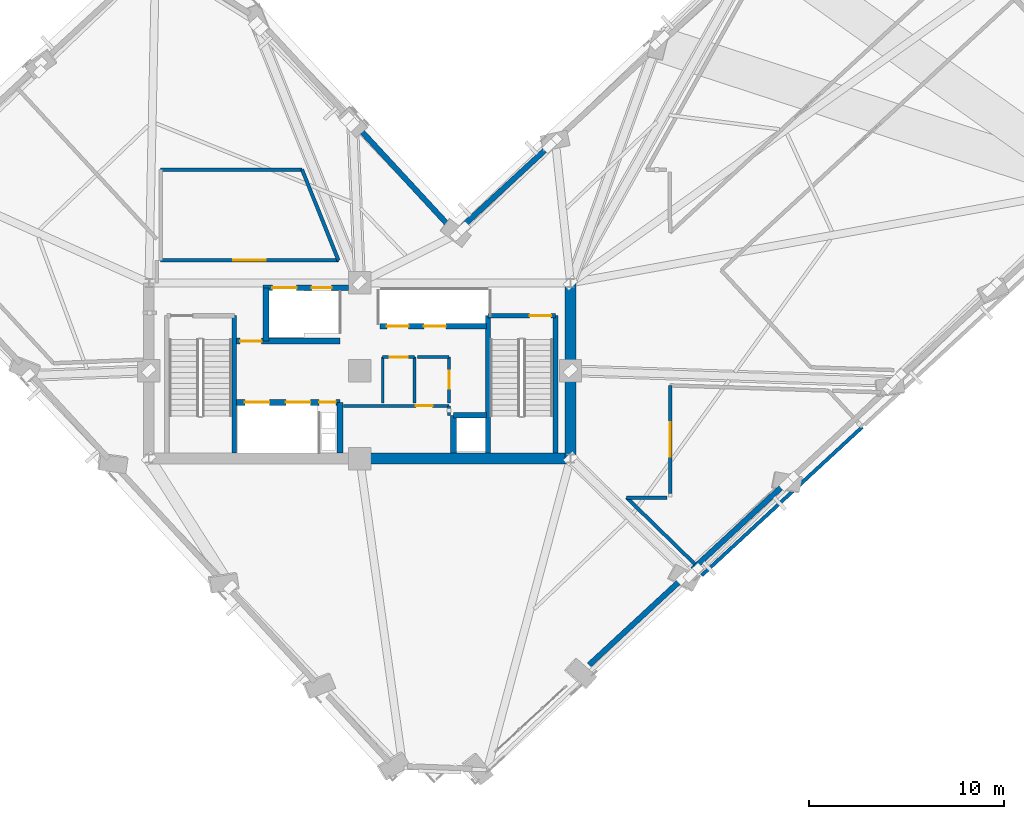
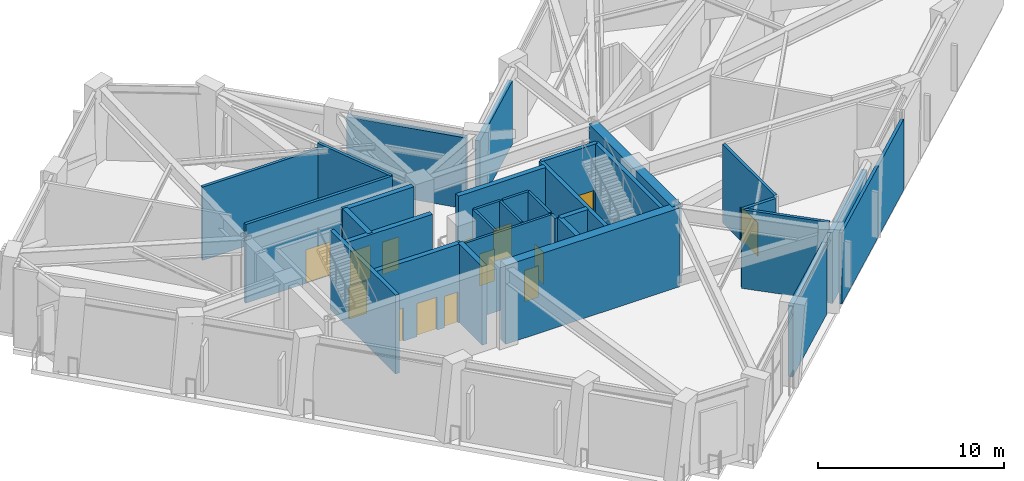
# One storey, part 9 of 15: 32 walls, 14 doors, 14 openings.
"""IFC4 building model written with IfcOpenShell, lengths in metres."""

from ifc_helpers import new_model, si_unit, direction, frame, frame_2d, origin, place, context, subcontext, project, spatial, rectangle, extrude, material, layer, layer_set, type_object, element, fill, save


model = new_model("IFC4")

# Units and contexts
model_context = context("Model", 3, precision=1e-05, world=origin(), true_north=direction((0.0, 1.0)))
body_context = subcontext(model_context, "Body", "Model", "MODEL_VIEW")
ifc_project = project(units=[si_unit("LENGTHUNIT", "METRE"), si_unit("AREAUNIT", "SQUARE_METRE"), si_unit("VOLUMEUNIT", "CUBIC_METRE"), si_unit("PLANEANGLEUNIT", "RADIAN"), si_unit("MASSUNIT", "GRAM", prefix="KILO")], contexts=[model_context])

# Site, building, storey
site_placement = place(None, origin())
site = spatial("IfcSite", under=ifc_project, at=site_placement, CompositionType="ELEMENT")
building_placement = place(site_placement, origin())
building = spatial("IfcBuilding", under=site, at=building_placement, Name="Gaonmaruhae Medical Tower", CompositionType="ELEMENT")
storey_placement = place(building_placement, frame((0.0, 0.0, 205.800048828125)))
storey = spatial("IfcBuildingStorey", under=building, at=storey_placement, Name="L49", CompositionType="ELEMENT", Elevation=205.800048828125)

# Walls
ifc_material_1 = material(Name="Concrete C50/60", Category="concrete")
ifc_layer_1 = layer(ifc_material_1, 0.550048828125)
ifc_layer_set_1 = layer_set([ifc_layer_1], Name="Concrete C50/60")
wall_type_1 = type_object("IfcWallType", Name="CW-550 Mid-High Core Shear Wall", PredefinedType="SHEAR", material=ifc_layer_set_1)
wall_1_placement = place(storey_placement, frame((24.800048828125, 7.800048828125, 0.0), z_axis=(0.0, 0.0, 1.0), x_axis=(1.0, 0.0, 0.0)))
element("IfcWall", 1, at=wall_1_placement, inside=storey, type_object=wall_type_1, Name="L49 Core Shear Wall CSW-S2", PredefinedType="SHEAR", context=body_context, shape_type="SweptSolid", body=[
    extrude(rectangle(XDim=10.800048828125, YDim=0.550048828125, at=frame_2d((5.39990234375, 0.0))), origin(), (0.0, 0.0, 1.0), 5.179931640625),
])
wall_2_placement = place(storey_placement, frame((35.60009765625, 7.800048828125, 0.0), z_axis=(0.0, 0.0, 1.0), x_axis=(0.0, 1.0, 0.0)))
element("IfcWall", 2, at=wall_2_placement, inside=storey, type_object=wall_type_1, Name="L49 Core Shear Wall CSW-E1", PredefinedType="SHEAR", context=body_context, shape_type="SweptSolid", body=[
    extrude(rectangle(XDim=9.0, YDim=0.550048828125, at=frame_2d((4.5, 0.0))), origin(), (0.0, 0.0, 1.0), 5.179931640625),
])
ifc_material_2 = material(Name="Precast concrete C45/55", Category="concrete")
ifc_layer_2 = layer(ifc_material_2, 0.280029296875)
ifc_layer_set_2 = layer_set([ifc_layer_2], Name="Precast concrete C45/55")
wall_type_2 = type_object("IfcWallType", Name="EW-280 Upper Precast Masonry-Frame Facade Wall", PredefinedType="SOLIDWALL", material=ifc_layer_set_2)
wall_3_placement = place(storey_placement, frame((41.13671875, 1.466796875, 0.0), z_axis=(0.0, 0.0, 1.0), x_axis=(-0.734325837506, -0.678797145229, 0.0)))
element("IfcWall", 3, at=wall_3_placement, inside=storey, type_object=wall_type_2, Name="L49 Precast Masonry-Frame Wall S02-S03", PredefinedType="SOLIDWALL", context=body_context, shape_type="SweptSolid", body=[
    extrude(rectangle(XDim=6.234375, YDim=0.280029296875, at=frame_2d((3.1171875, 0.0))), origin(), (0.0, 0.0, 1.0), 4.6650390625),
])
wall_4_placement = place(storey_placement, frame((46.418701171875, 6.349609375, 0.0), z_axis=(0.0, 0.0, 1.0), x_axis=(-0.734318253619, -0.678805349421, 0.0)))
element("IfcWall", 4, at=wall_4_placement, inside=storey, type_object=wall_type_2, Name="L49 Precast Masonry-Frame Wall S03-S04", PredefinedType="SOLIDWALL", context=body_context, shape_type="SweptSolid", body=[
    extrude(rectangle(XDim=6.21435546875, YDim=0.280029296875, at=frame_2d((3.107177734375, 0.0))), origin(), (0.0, 0.0, 1.0), 4.6650390625),
])
wall_5_placement = place(storey_placement, frame((30.077392578125, 19.705078125, 0.0), z_axis=(0.0, 0.0, 1.0), x_axis=(0.734294412508, 0.678831139356, 0.0)))
element("IfcWall", 5, at=wall_5_placement, inside=storey, type_object=wall_type_2, Name="L49 Precast Masonry-Frame Wall EN03-KN01", PredefinedType="SOLIDWALL", context=body_context, shape_type="SweptSolid", body=[
    extrude(rectangle(XDim=5.960205078125, YDim=0.280029296875, at=frame_2d((2.97998046875, 0.0))), origin(), (0.0, 0.0, 1.0), 4.1650390625),
])
wall_6_placement = place(storey_placement, frame((29.406494140625, 19.68701171875, 0.0), z_axis=(0.0, 0.0, 1.0), x_axis=(-0.678786966978, 0.734335245961, 0.0)))
element("IfcWall", 6, at=wall_6_placement, inside=storey, type_object=wall_type_2, Name="L49 Precast Masonry-Frame Wall KN01-NE01", PredefinedType="SOLIDWALL", context=body_context, shape_type="SweptSolid", body=[
    extrude(rectangle(XDim=6.759765625, YDim=0.280029296875, at=frame_2d((3.3798828125, 0.0))), origin(), (0.0, 0.0, 1.0), 4.6650390625),
])

# Wall, opening, door
ifc_material_3 = material(Name="Gypsum board partition", Category="gypsum")
ifc_layer_3 = layer(ifc_material_3, 0.14990234375)
ifc_layer_set_3 = layer_set([ifc_layer_3], Name="Gypsum board partition")
wall_type_3 = type_object("IfcWallType", Name="PW-150 Rated Clinical Corridor Partition", PredefinedType="PARTITIONING", material=ifc_layer_set_3)
wall_7_placement = place(storey_placement, frame((23.97998046875, 10.5, 0.0), z_axis=(0.0, 0.0, 1.0), x_axis=(1.0, 0.0, 0.0)))
wall_7 = element("IfcWall", 7, at=wall_7_placement, inside=storey, type_object=wall_type_3, Name="L49 Interior Partition L49-RCL1-1", PredefinedType="PARTITIONING", context=body_context, shape_type="SweptSolid", body=[
    extrude(rectangle(XDim=5.39990234375, YDim=0.14990234375, at=frame_2d((2.699951171875, 0.0))), origin(), (0.0, 0.0, 1.0), 5.179931640625),
])
opening_1_placement = place(wall_7_placement, frame((3.702880859375, 0.0, 0.0)))
opening_1 = element("IfcOpeningElement", 8, at=opening_1_placement, cuts=wall_7, Name="Opening AD-01", PredefinedType="OPENING", context=body_context, shape_type="SweptSolid", body=[
    extrude(rectangle(XDim=0.860107421875, YDim=2.06005859375, at=frame_2d((0.43017578125, 1.030029296875))), frame((0.0, 0.0849609375, 0.0), z_axis=(0.0, -1.0, 0.0), x_axis=(1.0, 0.0, 0.0)), (0.0, 0.0, 1.0), 0.169921875),
])
ifc_material_4 = material(Name="Powder-coated steel access door", Category="steel")
door_type_1 = type_object("IfcDoorType", Name="AD-01 Riser & Closet Access Fire Door 860x2060", OperationType="NOTDEFINED", PredefinedType="DOOR", material=ifc_material_4)
door_1_placement = place(opening_1_placement, origin())
door_1 = element("IfcDoor", 9, at=door_1_placement, inside=storey, type_object=door_type_1, Name="L49 Biomedical Infusion Preparation Room Sliding Door", OperationType="SLIDING_TO_LEFT", OverallHeight=2.06005859375, OverallWidth=0.860107421875, PredefinedType="DOOR", context=body_context, shape_type="SweptSolid", body=[
    extrude(rectangle(XDim=0.860107421875, YDim=2.06005859375, at=frame_2d((0.43017578125, 1.030029296875))), frame((0.0, 0.02490234375, 0.0), z_axis=(0.0, -1.0, 0.0), x_axis=(1.0, 0.0, 0.0)), (0.0, 0.0, 1.0), 0.050048828125),
])
fill(opening_1, door_1)

# Walls
wall_8_placement = place(storey_placement, frame((29.3798828125, 10.5, 0.0), z_axis=(0.0, 0.0, 1.0), x_axis=(0.0, -1.0, 0.0)))
element("IfcWall", 10, at=wall_8_placement, inside=storey, type_object=wall_type_3, Name="L49 Interior Partition L49-RCL1-2", PredefinedType="PARTITIONING", context=body_context, shape_type="SweptSolid", body=[
    extrude(rectangle(XDim=0.47998046875, YDim=0.14990234375, at=frame_2d((0.239990234375, 0.0))), origin(), (0.0, 0.0, 1.0), 5.179931640625),
])
wall_9_placement = place(storey_placement, frame((25.97998046875, 10.659912109375, 0.0), z_axis=(0.0, 0.0, 1.0), x_axis=(0.0, 1.0, 0.0)))
element("IfcWall", 11, at=wall_9_placement, inside=storey, type_object=wall_type_3, Name="L49 Interior Partition L49-CS1-3", PredefinedType="PARTITIONING", context=body_context, shape_type="SweptSolid", body=[
    extrude(rectangle(XDim=2.340087890625, YDim=0.14990234375, at=frame_2d((1.169921875, 0.0))), origin(), (0.0, 0.0, 1.0), 5.179931640625),
])

# Wall, opening, door
wall_10_placement = place(storey_placement, frame((25.97998046875, 13.0, 0.0), z_axis=(0.0, 0.0, 1.0), x_axis=(1.0, 0.0, 0.0)))
wall_10 = element("IfcWall", 12, at=wall_10_placement, inside=storey, type_object=wall_type_3, Name="L49 Interior Partition L49-CS1-4", PredefinedType="PARTITIONING", context=body_context, shape_type="SweptSolid", body=[
    extrude(rectangle(XDim=1.6201171875, YDim=0.14990234375, at=frame_2d((0.81005859375, 0.0))), origin(), (0.0, 0.0, 1.0), 5.179931640625),
])
opening_2_placement = place(wall_10_placement, frame((0.35009765625, 0.0, 0.0)))
opening_2 = element("IfcOpeningElement", 13, at=opening_2_placement, cuts=wall_10, Name="Opening UD-01", PredefinedType="OPENING", context=body_context, shape_type="SweptSolid", body=[
    extrude(rectangle(XDim=0.919921875, YDim=2.10009765625, at=frame_2d((0.4599609375, 1.050048828125))), frame((0.0, 0.0849609375, 0.0), z_axis=(0.0, -1.0, 0.0), x_axis=(1.0, 0.0, 0.0)), (0.0, 0.0, 1.0), 0.169921875),
])
ifc_material_5 = material(Name="Powder-coated steel utility door", Category="steel")
door_type_2 = type_object("IfcDoorType", Name="UD-01 Toilet, Utility & Housekeeping Door 920x2100", OperationType="NOTDEFINED", PredefinedType="DOOR", material=ifc_material_5)
door_2_placement = place(opening_2_placement, origin())
door_2 = element("IfcDoor", 14, at=door_2_placement, inside=storey, type_object=door_type_2, Name="L49 Accessible Staff Toilet Door", OperationType="SINGLE_SWING_RIGHT", OverallHeight=2.10009765625, OverallWidth=0.919921875, PredefinedType="DOOR", context=body_context, shape_type="SweptSolid", body=[
    extrude(rectangle(XDim=0.919921875, YDim=2.10009765625, at=frame_2d((0.4599609375, 1.050048828125))), frame((0.0, 0.02490234375, 0.0), z_axis=(0.0, -1.0, 0.0), x_axis=(1.0, 0.0, 0.0)), (0.0, 0.0, 1.0), 0.050048828125),
])
fill(opening_2, door_2)

# Walls
wall_11_placement = place(storey_placement, frame((27.60009765625, 13.0, 0.0), z_axis=(0.0, 0.0, 1.0), x_axis=(0.0, -1.0, 0.0)))
element("IfcWall", 15, at=wall_11_placement, inside=storey, type_object=wall_type_3, Name="L49 Interior Partition L49-CS1-5", PredefinedType="PARTITIONING", context=body_context, shape_type="SweptSolid", body=[
    extrude(rectangle(XDim=2.340087890625, YDim=0.14990234375, at=frame_2d((1.169921875, 0.0))), origin(), (0.0, 0.0, 1.0), 5.179931640625),
])
wall_12_placement = place(storey_placement, frame((27.760009765625, 13.0, 0.0), z_axis=(0.0, 0.0, 1.0), x_axis=(1.0, 0.0, 0.0)))
element("IfcWall", 16, at=wall_12_placement, inside=storey, type_object=wall_type_3, Name="L49 Interior Partition L49-CS2-6", PredefinedType="PARTITIONING", context=body_context, shape_type="SweptSolid", body=[
    extrude(rectangle(XDim=1.619873046875, YDim=0.14990234375, at=frame_2d((0.81005859375, 0.0))), origin(), (0.0, 0.0, 1.0), 5.179931640625),
])

# Wall, opening, door
wall_13_placement = place(storey_placement, frame((29.3798828125, 13.0, 0.0), z_axis=(0.0, 0.0, 1.0), x_axis=(0.0, -1.0, 0.0)))
wall_13 = element("IfcWall", 17, at=wall_13_placement, inside=storey, type_object=wall_type_3, Name="L49 Interior Partition L49-CS2-7", PredefinedType="PARTITIONING", context=body_context, shape_type="SweptSolid", body=[
    extrude(rectangle(XDim=2.340087890625, YDim=0.14990234375, at=frame_2d((1.169921875, 0.0))), origin(), (0.0, 0.0, 1.0), 5.179931640625),
])
opening_3_placement = place(wall_13_placement, frame((0.7099609375, 0.0, 0.0)))
opening_3 = element("IfcOpeningElement", 18, at=opening_3_placement, cuts=wall_13, Name="Opening UD-01", PredefinedType="OPENING", context=body_context, shape_type="SweptSolid", body=[
    extrude(rectangle(XDim=0.919921875, YDim=2.10009765625, at=frame_2d((0.4599609375, 1.050048828125))), frame((0.0, 0.0849609375, 0.0), z_axis=(0.0, -1.0, 0.0), x_axis=(1.0, 0.0, 0.0)), (0.0, 0.0, 1.0), 0.169921875),
])
door_3_placement = place(opening_3_placement, origin())
door_3 = element("IfcDoor", 19, at=door_3_placement, inside=storey, type_object=door_type_2, Name="L49 Biomedical Telemetry Closet Door", OperationType="SINGLE_SWING_RIGHT", OverallHeight=2.10009765625, OverallWidth=0.919921875, PredefinedType="DOOR", context=body_context, shape_type="SweptSolid", body=[
    extrude(rectangle(XDim=0.919921875, YDim=2.10009765625, at=frame_2d((0.4599609375, 1.050048828125))), frame((0.0, 0.02490234375, 0.0), z_axis=(0.0, -1.0, 0.0), x_axis=(1.0, 0.0, 0.0)), (0.0, 0.0, 1.0), 0.050048828125),
])
fill(opening_3, door_3)

# Walls
ifc_layer_4 = layer(ifc_material_3, 0.179931640625)
ifc_layer_set_4 = layer_set([ifc_layer_4], Name="Gypsum board partition")
wall_type_4 = type_object("IfcWallType", Name="PW-180 Refuge & Plant Acoustic Fire Partition", PredefinedType="PARTITIONING", material=ifc_layer_set_4)
wall_14_placement = place(storey_placement, frame((14.60009765625, 22.60009765625, 0.0), z_axis=(0.0, 0.0, 1.0), x_axis=(1.0, 0.0, 0.0)))
element("IfcWall", 20, at=wall_14_placement, inside=storey, type_object=wall_type_4, Name="L49 Interior Partition L49-REF1-9", PredefinedType="PARTITIONING", context=body_context, shape_type="SweptSolid", body=[
    extrude(rectangle(XDim=7.2509765625, YDim=0.179931640625, at=frame_2d((3.62548828125, 0.0))), origin(), (0.0, 0.0, 1.0), 4.81494140625),
])
wall_15_placement = place(storey_placement, frame((21.85107421875, 22.60009765625, 0.0), z_axis=(0.0, 0.0, 1.0), x_axis=(0.371903186343, -0.928271522771, 0.0)))
element("IfcWall", 21, at=wall_15_placement, inside=storey, type_object=wall_type_4, Name="L49 Interior Partition L49-REF1-10", PredefinedType="PARTITIONING", context=body_context, shape_type="SweptSolid", body=[
    extrude(rectangle(XDim=5.009521484375, YDim=0.179931640625, at=frame_2d((2.5048828125, 0.0))), origin(), (0.0, 0.0, 1.0), 5.179931640625),
])

# Wall, opening, door
wall_16_placement = place(storey_placement, frame((23.714111328125, 17.949951171875, 0.0), z_axis=(0.0, 0.0, 1.0), x_axis=(-1.0, 0.0, 0.0)))
wall_16 = element("IfcWall", 22, at=wall_16_placement, inside=storey, type_object=wall_type_4, Name="L49 Interior Partition L49-REF1-11", PredefinedType="PARTITIONING", context=body_context, shape_type="SweptSolid", body=[
    extrude(rectangle(XDim=9.114013671875, YDim=0.179931640625, at=frame_2d((4.55712890625, 0.0))), origin(), (0.0, 0.0, 1.0), 5.179931640625),
])
opening_4_placement = place(wall_16_placement, frame((3.73193359375, 0.0, 0.0)))
opening_4 = element("IfcOpeningElement", 23, at=opening_4_placement, cuts=wall_16, Name="Opening FD-04", PredefinedType="OPENING", context=body_context, shape_type="SweptSolid", body=[
    extrude(rectangle(XDim=1.64990234375, YDim=2.199951171875, at=frame_2d((0.824951171875, 1.10009765625))), frame((0.0, 0.10009765625, 0.0), z_axis=(0.0, -1.0, 0.0), x_axis=(1.0, 0.0, 0.0)), (0.0, 0.0, 1.0), 0.199951171875),
])
ifc_material_6 = material(Name="Powder-coated steel fire door", Category="steel")
door_type_3 = type_object("IfcDoorType", Name="FD-04 Refuge & Trauma Double Fire Door 1650x2200", OperationType="NOTDEFINED", PredefinedType="DOOR", material=ifc_material_6)
door_4_placement = place(opening_4_placement, origin())
door_4 = element("IfcDoor", 24, at=door_4_placement, inside=storey, type_object=door_type_3, Name="L49 Designated Fire Refuge Safety Area Door", OperationType="DOUBLE_DOOR_SINGLE_SWING", OverallHeight=2.199951171875, OverallWidth=1.64990234375, PredefinedType="DOOR", context=body_context, shape_type="SweptSolid", body=[
    extrude(rectangle(XDim=1.64990234375, YDim=2.199951171875, at=frame_2d((0.824951171875, 1.10009765625))), frame((0.0, 0.02490234375, 0.0), z_axis=(0.0, -1.0, 0.0), x_axis=(1.0, 0.0, 0.0)), (0.0, 0.0, 1.0), 0.050048828125),
])
fill(opening_4, door_4)

wall_17_placement = place(storey_placement, frame((40.699951171875, 6.0, 0.0), z_axis=(0.0, 0.0, 1.0), x_axis=(0.0, 1.0, 0.0)))
wall_17 = element("IfcWall", 25, at=wall_17_placement, inside=storey, type_object=wall_type_4, Name="L49 Interior Partition L49-CHILB-21", PredefinedType="PARTITIONING", context=body_context, shape_type="SweptSolid", body=[
    extrude(rectangle(XDim=5.551025390625, YDim=0.179931640625, at=frame_2d((2.775390625, 0.0))), origin(), (0.0, 0.0, 1.0), 5.179931640625),
])
opening_5_placement = place(wall_17_placement, frame((1.900390625, 0.0, 0.0)))
opening_5 = element("IfcOpeningElement", 26, at=opening_5_placement, cuts=wall_17, Name="Opening PD-01", PredefinedType="OPENING", context=body_context, shape_type="SweptSolid", body=[
    extrude(rectangle(XDim=1.75, YDim=2.199951171875, at=frame_2d((0.875, 1.10009765625))), frame((0.0, 0.10009765625, 0.0), z_axis=(0.0, -1.0, 0.0), x_axis=(1.0, 0.0, 0.0)), (0.0, 0.0, 1.0), 0.199951171875),
])
ifc_material_7 = material(Name="Acoustic galvanised steel plant door", Category="steel")
door_type_4 = type_object("IfcDoorType", Name="PD-01 Mechanical Plant Double Equipment Door 1750x2200", OperationType="NOTDEFINED", PredefinedType="DOOR", material=ifc_material_7)
door_5_placement = place(opening_5_placement, origin())
door_5 = element("IfcDoor", 27, at=door_5_placement, inside=storey, type_object=door_type_4, Name="L49 Zone Chiller and Heat Exchanger Plant Room Annex Door", OperationType="DOUBLE_DOOR_SINGLE_SWING", OverallHeight=2.199951171875, OverallWidth=1.75, PredefinedType="DOOR", context=body_context, shape_type="SweptSolid", body=[
    extrude(rectangle(XDim=1.75, YDim=2.199951171875, at=frame_2d((0.875, 1.10009765625))), frame((0.0, 0.02490234375, 0.0), z_axis=(0.0, -1.0, 0.0), x_axis=(1.0, 0.0, 0.0)), (0.0, 0.0, 1.0), 0.050048828125),
])
fill(opening_5, door_5)

# Walls
wall_18_placement = place(storey_placement, frame((50.544921875, 9.4150390625, 0.0), z_axis=(0.0, 0.0, 1.0), x_axis=(-0.734326814615, -0.678796088187, 0.0)))
element("IfcWall", 28, at=wall_18_placement, inside=storey, type_object=wall_type_4, Name="L49 Interior Partition L49-CHILB-25", PredefinedType="PARTITIONING", context=body_context, shape_type="SweptSolid", body=[
    extrude(rectangle(XDim=11.19775390625, YDim=0.179931640625, at=frame_2d((5.598876953125, 0.0))), origin(), (0.0, 0.0, 1.0), 4.6650390625),
])
wall_19_placement = place(storey_placement, frame((41.969970703125, 2.39404296875, 0.0), z_axis=(0.0, 0.0, 1.0), x_axis=(-0.715665361379, 0.698443333795, 0.0)))
element("IfcWall", 29, at=wall_19_placement, inside=storey, type_object=wall_type_4, Name="L49 Interior Partition L49-CHILB-26", PredefinedType="PARTITIONING", context=body_context, shape_type="SweptSolid", body=[
    extrude(rectangle(XDim=4.87646484375, YDim=0.179931640625, at=frame_2d((2.438232421875, 0.0))), origin(), (0.0, 0.0, 1.0), 5.179931640625),
])
wall_20_placement = place(storey_placement, frame((38.47998046875, 5.800048828125, 0.0), z_axis=(0.0, 0.0, 1.0), x_axis=(0.999998200542, 0.001897079821, 0.0)))
element("IfcWall", 30, at=wall_20_placement, inside=storey, type_object=wall_type_4, Name="L49 Interior Partition L49-CHILB-27", PredefinedType="PARTITIONING", context=body_context, shape_type="SweptSolid", body=[
    extrude(rectangle(XDim=2.05908203125, YDim=0.179931640625, at=frame_2d((1.029541015625, 0.0))), origin(), (0.0, 0.0, 1.0), 5.179931640625),
])
ifc_layer_5 = layer(ifc_material_1, 0.239990234375)
ifc_layer_set_5 = layer_set([ifc_layer_5], Name="Concrete C50/60")
wall_type_5 = type_object("IfcWallType", Name="SW-240 Dogleg Stair Tight Shaft Wall", PredefinedType="SOLIDWALL", material=ifc_layer_set_5)
wall_21_placement = place(storey_placement, frame((18.3798828125, 15.1201171875, 0.0), z_axis=(0.0, 0.0, 1.0), x_axis=(0.0, -1.0, 0.0)))
element("IfcWall", 31, at=wall_21_placement, inside=storey, type_object=wall_type_5, Name="L49 ST-01 Stair Shaft Wall SHW-ST-01-E", PredefinedType="SOLIDWALL", context=body_context, shape_type="SweptSolid", body=[
    extrude(rectangle(XDim=7.045166015625, YDim=0.239990234375, at=frame_2d((3.5224609375, 0.0))), origin(), (0.0, 0.0, 1.0), 5.179931640625),
])

# Wall, opening, door
wall_22_placement = place(storey_placement, frame((31.3701171875, 15.1201171875, 0.0), z_axis=(0.0, 0.0, 1.0), x_axis=(1.0, 0.0, 0.0)))
wall_22 = element("IfcWall", 32, at=wall_22_placement, inside=storey, type_object=wall_type_5, Name="L49 ST-02 Stair Shaft Wall SHW-ST-02-N", PredefinedType="SOLIDWALL", context=body_context, shape_type="SweptSolid", body=[
    extrude(rectangle(XDim=3.4599609375, YDim=0.239990234375, at=frame_2d((1.72998046875, 0.0))), origin(), (0.0, 0.0, 1.0), 5.179931640625),
])
opening_6_placement = place(wall_22_placement, frame((2.139892578125, 0.0, 0.0)))
opening_6 = element("IfcOpeningElement", 33, at=opening_6_placement, cuts=wall_22, Name="Opening FD-01", PredefinedType="OPENING", context=body_context, shape_type="SweptSolid", body=[
    extrude(rectangle(XDim=1.10009765625, YDim=2.14990234375, at=frame_2d((0.550048828125, 1.074951171875))), frame((0.0, 0.1298828125, 0.0), z_axis=(0.0, -1.0, 0.0), x_axis=(1.0, 0.0, 0.0)), (0.0, 0.0, 1.0), 0.260009765625),
])
door_type_5 = type_object("IfcDoorType", Name="FD-01 Escape Stair Protected Fire Door 1100x2150", OperationType="NOTDEFINED", PredefinedType="DOOR", material=ifc_material_6)
door_6_placement = place(opening_6_placement, origin())
door_6 = element("IfcDoor", 34, at=door_6_placement, inside=storey, type_object=door_type_5, Name="L49 ST-02 Protected Escape Stair Door", OperationType="SINGLE_SWING_LEFT", OverallHeight=2.14990234375, OverallWidth=1.10009765625, PredefinedType="DOOR", context=body_context, shape_type="SweptSolid", body=[
    extrude(rectangle(XDim=1.10009765625, YDim=2.14990234375, at=frame_2d((0.550048828125, 1.074951171875))), frame((0.0, 0.02490234375, 0.0), z_axis=(0.0, -1.0, 0.0), x_axis=(1.0, 0.0, 0.0)), (0.0, 0.0, 1.0), 0.050048828125),
])
fill(opening_6, door_6)

# Walls
for number, where, z_axis, x_axis, name in (
    (35, (34.830078125, 15.1201171875, 0.0), (0.0, 0.0, 1.0), (0.0, -1.0, 0.0), "L49 ST-02 Stair Shaft Wall SHW-ST-02-E"),
    (36, (31.3701171875, 8.074951171875, 0.0), (0.0, 0.0, 1.0), (0.0, 1.0, 0.0), "L49 ST-02 Stair Shaft Wall SHW-ST-02-W"),
):
    element("IfcWall", number, at=place(storey_placement, frame(where, z_axis=z_axis, x_axis=x_axis)), inside=storey, type_object=wall_type_5, Name=name, PredefinedType="SOLIDWALL", context=body_context, shape_type="SweptSolid", body=[
        extrude(rectangle(XDim=7.045166015625, YDim=0.239990234375, at=frame_2d((3.5224609375, 0.0))), origin(), (0.0, 0.0, 1.0), 5.179931640625),
    ])

# Wall, openings, doors
ifc_layer_6 = layer(ifc_material_1, 0.300048828125)
ifc_layer_set_6 = layer_set([ifc_layer_6], Name="Concrete C50/60")
wall_type_6 = type_object("IfcWallType", Name="SW-300 Stair & Lift Hoistway Shaft Wall", PredefinedType="SOLIDWALL", material=ifc_layer_set_6)
wall_23_placement = place(storey_placement, frame((19.85009765625, 16.550048828125, 0.0), z_axis=(0.0, 0.0, 1.0), x_axis=(1.0, 0.0, 0.0)))
wall_23 = element("IfcWall", 37, at=wall_23_placement, inside=storey, type_object=wall_type_6, Name="L49 Core Shear Wall CSW-NB", PredefinedType="SOLIDWALL", context=body_context, shape_type="SweptSolid", body=[
    extrude(rectangle(XDim=4.375, YDim=0.300048828125, at=frame_2d((2.1875, 0.0))), origin(), (0.0, 0.0, 1.0), 5.179931640625),
])
opening_7_placement = place(wall_23_placement, frame((0.47509765625, 0.0, 0.0)))
opening_7 = element("IfcOpeningElement", 38, at=opening_7_placement, cuts=wall_23, Name="Opening LD-F1", PredefinedType="OPENING", context=body_context, shape_type="SweptSolid", body=[
    extrude(rectangle(XDim=1.25, YDim=2.179931640625, at=frame_2d((0.625, 1.08984375))), frame((0.0, 0.16015625, 0.0), z_axis=(0.0, -1.0, 0.0), x_axis=(1.0, 0.0, 0.0)), (0.0, 0.0, 1.0), 0.320068359375),
])
opening_8_placement = place(wall_23_placement, frame((2.489990234375, 0.0, 0.0)))
opening_8 = element("IfcOpeningElement", 39, at=opening_8_placement, cuts=wall_23, Name="Opening LD-S1", PredefinedType="OPENING", context=body_context, shape_type="SweptSolid", body=[
    extrude(rectangle(XDim=1.02001953125, YDim=2.1201171875, at=frame_2d((0.510009765625, 1.06005859375))), frame((0.0, 0.16015625, 0.0), z_axis=(0.0, -1.0, 0.0), x_axis=(1.0, 0.0, 0.0)), (0.0, 0.0, 1.0), 0.320068359375),
])
ifc_material_8 = material(Name="Brushed stainless steel 316L landing door", Category="steel")
door_type_6 = type_object("IfcDoorType", Name="LD-F1 Firefighting & Bed Lift Sliding Landing Door 1250x2180", OperationType="NOTDEFINED", PredefinedType="DOOR", material=ifc_material_8)
door_7_placement = place(opening_7_placement, origin())
door_7 = element("IfcDoor", 40, at=door_7_placement, inside=storey, type_object=door_type_6, Name="L49 Service/Bed Lift Landing Door BDL-01", OperationType="DOUBLE_DOOR_SLIDING", OverallHeight=2.179931640625, OverallWidth=1.25, PredefinedType="DOOR", context=body_context, shape_type="SweptSolid", body=[
    extrude(rectangle(XDim=1.25, YDim=2.179931640625, at=frame_2d((0.625, 1.08984375))), frame((0.0, 0.02490234375, 0.0), z_axis=(0.0, -1.0, 0.0), x_axis=(1.0, 0.0, 0.0)), (0.0, 0.0, 1.0), 0.050048828125),
])
fill(opening_7, door_7)
ifc_material_9 = material(Name="Brushed stainless steel 304 landing door", Category="steel")
door_type_7 = type_object("IfcDoorType", Name="LD-S1 Service Lift Sliding Landing Door 1020x2120", OperationType="NOTDEFINED", PredefinedType="DOOR", material=ifc_material_9)
door_8_placement = place(opening_8_placement, origin())
door_8 = element("IfcDoor", 41, at=door_8_placement, inside=storey, type_object=door_type_7, Name="L49 Service/Bed Lift Landing Door SVL-01", OperationType="SLIDING_TO_LEFT", OverallHeight=2.1201171875, OverallWidth=1.02001953125, PredefinedType="DOOR", context=body_context, shape_type="SweptSolid", body=[
    extrude(rectangle(XDim=1.02001953125, YDim=2.1201171875, at=frame_2d((0.510009765625, 1.06005859375))), frame((0.0, 0.02490234375, 0.0), z_axis=(0.0, -1.0, 0.0), x_axis=(1.0, 0.0, 0.0)), (0.0, 0.0, 1.0), 0.050048828125),
])
fill(opening_8, door_8)

wall_24_placement = place(storey_placement, frame((18.5, 10.679931640625, 0.0), z_axis=(0.0, 0.0, 1.0), x_axis=(1.0, 0.0, 0.0)))
wall_24 = element("IfcWall", 42, at=wall_24_placement, inside=storey, type_object=wall_type_6, Name="L49 Shaft Enclosure Wall SHW-FFN", PredefinedType="SOLIDWALL", context=body_context, shape_type="SweptSolid", body=[
    extrude(rectangle(XDim=5.300048828125, YDim=0.300048828125, at=frame_2d((2.64990234375, 0.0))), origin(), (0.0, 0.0, 1.0), 5.179931640625),
])
opening_9_placement = place(wall_24_placement, frame((4.219970703125, 0.0, 0.0)))
opening_9 = element("IfcOpeningElement", 43, at=opening_9_placement, cuts=wall_24, Name="Opening AD-01", PredefinedType="OPENING", context=body_context, shape_type="SweptSolid", body=[
    extrude(rectangle(XDim=0.860107421875, YDim=2.06005859375, at=frame_2d((0.43017578125, 1.030029296875))), frame((0.0, 0.16015625, 0.0), z_axis=(0.0, -1.0, 0.0), x_axis=(1.0, 0.0, 0.0)), (0.0, 0.0, 1.0), 0.320068359375),
])
opening_10_placement = place(wall_24_placement, frame((0.425048828125, 0.0, 0.0)))
opening_10 = element("IfcOpeningElement", 44, at=opening_10_placement, cuts=wall_24, Name="Opening LD-F1", PredefinedType="OPENING", context=body_context, shape_type="SweptSolid", body=[
    extrude(rectangle(XDim=1.25, YDim=2.179931640625, at=frame_2d((0.625, 1.08984375))), frame((0.0, 0.16015625, 0.0), z_axis=(0.0, -1.0, 0.0), x_axis=(1.0, 0.0, 0.0)), (0.0, 0.0, 1.0), 0.320068359375),
])
opening_11_placement = place(wall_24_placement, frame((2.52490234375, 0.0, 0.0)))
opening_11 = element("IfcOpeningElement", 45, at=opening_11_placement, cuts=wall_24, Name="Opening LD-F1", PredefinedType="OPENING", context=body_context, shape_type="SweptSolid", body=[
    extrude(rectangle(XDim=1.25, YDim=2.179931640625, at=frame_2d((0.625, 1.08984375))), frame((0.0, 0.16015625, 0.0), z_axis=(0.0, -1.0, 0.0), x_axis=(1.0, 0.0, 0.0)), (0.0, 0.0, 1.0), 0.320068359375),
])
door_9_placement = place(opening_9_placement, origin())
door_9 = element("IfcDoor", 46, at=door_9_placement, inside=storey, type_object=door_type_1, Name="L49 Medical Gas and MEP Riser Access Door", OperationType="SINGLE_SWING_RIGHT", OverallHeight=2.06005859375, OverallWidth=0.860107421875, PredefinedType="DOOR", context=body_context, shape_type="SweptSolid", body=[
    extrude(rectangle(XDim=0.860107421875, YDim=2.06005859375, at=frame_2d((0.43017578125, 1.030029296875))), frame((0.0, 0.02490234375, 0.0), z_axis=(0.0, -1.0, 0.0), x_axis=(1.0, 0.0, 0.0)), (0.0, 0.0, 1.0), 0.050048828125),
])
fill(opening_9, door_9)
door_10_placement = place(opening_10_placement, origin())
door_10 = element("IfcDoor", 47, at=door_10_placement, inside=storey, type_object=door_type_6, Name="L49 Firefighting Lift Landing Door FFL-01", OperationType="DOUBLE_DOOR_SLIDING", OverallHeight=2.179931640625, OverallWidth=1.25, PredefinedType="DOOR", context=body_context, shape_type="SweptSolid", body=[
    extrude(rectangle(XDim=1.25, YDim=2.179931640625, at=frame_2d((0.625, 1.08984375))), frame((0.0, 0.02490234375, 0.0), z_axis=(0.0, -1.0, 0.0), x_axis=(1.0, 0.0, 0.0)), (0.0, 0.0, 1.0), 0.050048828125),
])
fill(opening_10, door_10)
door_11_placement = place(opening_11_placement, origin())
door_11 = element("IfcDoor", 48, at=door_11_placement, inside=storey, type_object=door_type_6, Name="L49 Firefighting Lift Landing Door FFL-02", OperationType="DOUBLE_DOOR_SLIDING", OverallHeight=2.179931640625, OverallWidth=1.25, PredefinedType="DOOR", context=body_context, shape_type="SweptSolid", body=[
    extrude(rectangle(XDim=1.25, YDim=2.179931640625, at=frame_2d((0.625, 1.08984375))), frame((0.0, 0.02490234375, 0.0), z_axis=(0.0, -1.0, 0.0), x_axis=(1.0, 0.0, 0.0)), (0.0, 0.0, 1.0), 0.050048828125),
])
fill(opening_11, door_11)

# Wall, opening, door
wall_25_placement = place(storey_placement, frame((18.5, 13.820068359375, 0.0), z_axis=(0.0, 0.0, 1.0), x_axis=(1.0, 0.0, 0.0)))
wall_25 = element("IfcWall", 49, at=wall_25_placement, inside=storey, type_object=wall_type_6, Name="L49 Shaft Enclosure Wall SHW-FFL", PredefinedType="SOLIDWALL", context=body_context, shape_type="SweptSolid", body=[
    extrude(rectangle(XDim=5.300048828125, YDim=0.300048828125, at=frame_2d((2.64990234375, 0.0))), origin(), (0.0, 0.0, 1.0), 5.179931640625),
])
opening_12_placement = place(wall_25_placement, frame((0.179931640625, 0.0, 0.0)))
opening_12 = element("IfcOpeningElement", 50, at=opening_12_placement, cuts=wall_25, Name="Opening FD-01", PredefinedType="OPENING", context=body_context, shape_type="SweptSolid", body=[
    extrude(rectangle(XDim=1.10009765625, YDim=2.14990234375, at=frame_2d((0.550048828125, 1.074951171875))), frame((0.0, 0.16015625, 0.0), z_axis=(0.0, -1.0, 0.0), x_axis=(1.0, 0.0, 0.0)), (0.0, 0.0, 1.0), 0.320068359375),
])
door_12_placement = place(opening_12_placement, origin())
door_12 = element("IfcDoor", 51, at=door_12_placement, inside=storey, type_object=door_type_5, Name="L49 Firefighting Lobby Smoke Door", OperationType="SINGLE_SWING_LEFT", OverallHeight=2.14990234375, OverallWidth=1.10009765625, PredefinedType="DOOR", context=body_context, shape_type="SweptSolid", body=[
    extrude(rectangle(XDim=1.10009765625, YDim=2.14990234375, at=frame_2d((0.550048828125, 1.074951171875))), frame((0.0, 0.02490234375, 0.0), z_axis=(0.0, -1.0, 0.0), x_axis=(1.0, 0.0, 0.0)), (0.0, 0.0, 1.0), 0.050048828125),
])
fill(opening_12, door_12)

# Walls
wall_26_placement = place(storey_placement, frame((23.800048828125, 8.074951171875, 0.0), z_axis=(0.0, 0.0, 1.0), x_axis=(0.0, 1.0, 0.0)))
element("IfcWall", 52, at=wall_26_placement, inside=storey, type_object=wall_type_6, Name="L49 Shaft Enclosure Wall SHW-FFE", PredefinedType="SOLIDWALL", context=body_context, shape_type="SweptSolid", body=[
    extrude(rectangle(XDim=2.60498046875, YDim=0.300048828125, at=frame_2d((1.302490234375, 0.0))), origin(), (0.0, 0.0, 1.0), 5.179931640625),
])
wall_27_placement = place(storey_placement, frame((20.0, 13.820068359375, 0.0), z_axis=(0.0, 0.0, 1.0), x_axis=(0.0, 1.0, 0.0)))
element("IfcWall", 53, at=wall_27_placement, inside=storey, type_object=wall_type_6, Name="L49 Shaft Enclosure Wall SHW-BDW", PredefinedType="SOLIDWALL", context=body_context, shape_type="SweptSolid", body=[
    extrude(rectangle(XDim=2.72998046875, YDim=0.300048828125, at=frame_2d((1.364990234375, 0.0))), origin(), (0.0, 0.0, 1.0), 5.179931640625),
])
wall_28_placement = place(storey_placement, frame((29.60009765625, 10.02001953125, 0.0), z_axis=(0.0, 0.0, 1.0), x_axis=(1.0, 0.0, 0.0)))
element("IfcWall", 54, at=wall_28_placement, inside=storey, type_object=wall_type_6, Name="L49 Shaft Enclosure Wall SHW-PLS", PredefinedType="SOLIDWALL", context=body_context, shape_type="SweptSolid", body=[
    extrude(rectangle(XDim=1.699951171875, YDim=0.300048828125, at=frame_2d((0.85009765625, 0.0))), origin(), (0.0, 0.0, 1.0), 5.179931640625),
])
wall_29_placement = place(storey_placement, frame((29.60009765625, 8.074951171875, 0.0), z_axis=(0.0, 0.0, 1.0), x_axis=(0.0, 1.0, 0.0)))
element("IfcWall", 55, at=wall_29_placement, inside=storey, type_object=wall_type_6, Name="L49 Shaft Enclosure Wall SHW-PLD1", PredefinedType="SOLIDWALL", context=body_context, shape_type="SweptSolid", body=[
    extrude(rectangle(XDim=1.945068359375, YDim=0.300048828125, at=frame_2d((0.97265625, 0.0))), origin(), (0.0, 0.0, 1.0), 5.179931640625),
])

# Wall, openings, doors
wall_30_placement = place(storey_placement, frame((25.85009765625, 14.580078125, 0.0), z_axis=(0.0, 0.0, 1.0), x_axis=(1.0, 0.0, 0.0)))
wall_30 = element("IfcWall", 56, at=wall_30_placement, inside=storey, type_object=wall_type_6, Name="L49 Shaft Enclosure Wall SHW-PLN", PredefinedType="SOLIDWALL", context=body_context, shape_type="SweptSolid", body=[
    extrude(rectangle(XDim=5.449951171875, YDim=0.300048828125, at=frame_2d((2.72509765625, 0.0))), origin(), (0.0, 0.0, 1.0), 5.179931640625),
])
opening_13_placement = place(wall_30_placement, frame((0.340087890625, 0.0, 0.0)))
opening_13 = element("IfcOpeningElement", 57, at=opening_13_placement, cuts=wall_30, Name="Opening LD-P1", PredefinedType="OPENING", context=body_context, shape_type="SweptSolid", body=[
    extrude(rectangle(XDim=1.1201171875, YDim=2.14990234375, at=frame_2d((0.56005859375, 1.074951171875))), frame((0.0, 0.16015625, 0.0), z_axis=(0.0, -1.0, 0.0), x_axis=(1.0, 0.0, 0.0)), (0.0, 0.0, 1.0), 0.320068359375),
])
opening_14_placement = place(wall_30_placement, frame((2.239990234375, 0.0, 0.0)))
opening_14 = element("IfcOpeningElement", 58, at=opening_14_placement, cuts=wall_30, Name="Opening LD-P1", PredefinedType="OPENING", context=body_context, shape_type="SweptSolid", body=[
    extrude(rectangle(XDim=1.1201171875, YDim=2.14990234375, at=frame_2d((0.56005859375, 1.074951171875))), frame((0.0, 0.16015625, 0.0), z_axis=(0.0, -1.0, 0.0), x_axis=(1.0, 0.0, 0.0)), (0.0, 0.0, 1.0), 0.320068359375),
])
door_type_8 = type_object("IfcDoorType", Name="LD-P1 Passenger Lift Sliding Landing Door 1120x2150", OperationType="NOTDEFINED", PredefinedType="DOOR", material=ifc_material_9)
door_13_placement = place(opening_13_placement, origin())
door_13 = element("IfcDoor", 59, at=door_13_placement, inside=storey, type_object=door_type_8, Name="L49 Passenger Lift Landing Door PL-M1", OperationType="DOUBLE_DOOR_SLIDING", OverallHeight=2.14990234375, OverallWidth=1.1201171875, PredefinedType="DOOR", context=body_context, shape_type="SweptSolid", body=[
    extrude(rectangle(XDim=1.1201171875, YDim=2.14990234375, at=frame_2d((0.56005859375, 1.074951171875))), frame((0.0, 0.02490234375, 0.0), z_axis=(0.0, -1.0, 0.0), x_axis=(1.0, 0.0, 0.0)), (0.0, 0.0, 1.0), 0.050048828125),
])
fill(opening_13, door_13)
door_14_placement = place(opening_14_placement, origin())
door_14 = element("IfcDoor", 60, at=door_14_placement, inside=storey, type_object=door_type_8, Name="L49 Passenger Lift Landing Door PL-M2", OperationType="DOUBLE_DOOR_SLIDING", OverallHeight=2.14990234375, OverallWidth=1.1201171875, PredefinedType="DOOR", context=body_context, shape_type="SweptSolid", body=[
    extrude(rectangle(XDim=1.1201171875, YDim=2.14990234375, at=frame_2d((0.56005859375, 1.074951171875))), frame((0.0, 0.02490234375, 0.0), z_axis=(0.0, -1.0, 0.0), x_axis=(1.0, 0.0, 0.0)), (0.0, 0.0, 1.0), 0.050048828125),
])
fill(opening_14, door_14)

save(model, "model.ifc")
